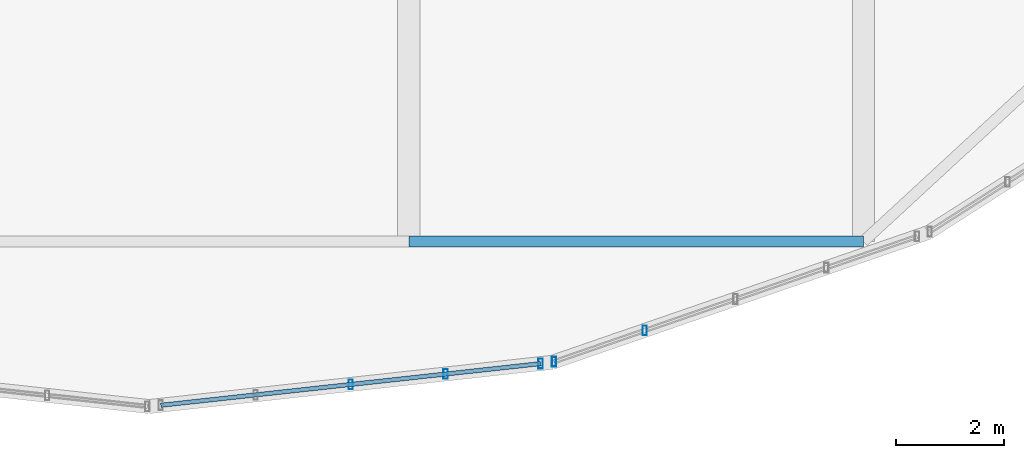
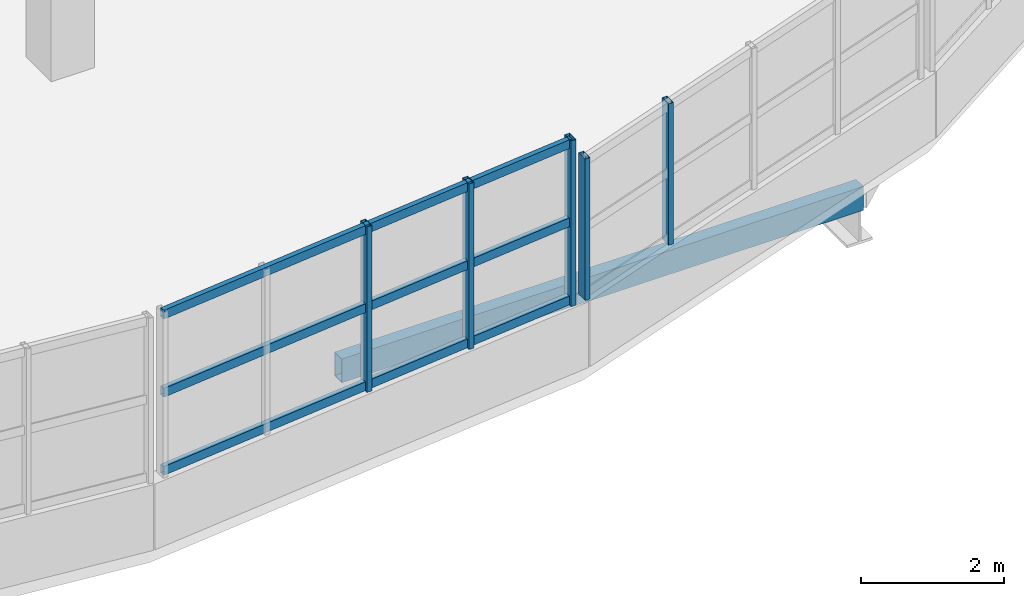
# One storey, part 17 of 52: 8 members, 1 beam, 2 elements without a shape of their own.
"""IFC4 building model written with IfcOpenShell, lengths in metres."""

import ifcopenshell
import ifcopenshell.guid

model = None  # the IFC model being written
_history = None  # IfcOwnerHistory: only IFC2X3 demands one
_inside = {}  # id of a spatial element -> (the spatial element, [elements in it])
_under = {}  # id of a project, library or spatial element -> (it, [spatial elements below it])
_declared = {}  # id of a project -> (the project, [libraries it declares])
_typed = {}  # id of a type object -> (the type object, [elements of that type])
_made_of = {}  # id of a material, layer set ... -> (it, [elements and type objects made of it])


def new_model(schema):
    """Start an empty IFC model of exactly this schema.

    Asked for "IFC4X3", IfcOpenShell would pick the latest addendum, in which some entities
    have other attributes; the version numbers below select the first issue.
    IFC2X3 requires an IfcOwnerHistory on every rooted entity: one is made here for all.
    """
    global model, _history
    if schema == "IFC4X3":
        model = ifcopenshell.file(schema_version=(4, 3, 0, 0))
    else:
        model = ifcopenshell.file(schema=schema)
    _inside.clear()
    _under.clear()
    _declared.clear()
    _typed.clear()
    _made_of.clear()
    _history = None
    if model.schema == "IFC2X3":
        org = make("IfcOrganization", Name="unknown")
        user = make(
            "IfcPersonAndOrganization",
            ThePerson=make("IfcPerson", FamilyName="unknown"),
            TheOrganization=org,
        )
        app = make(
            "IfcApplication",
            ApplicationDeveloper=org,
            Version="unknown",
            ApplicationFullName="unknown",
            ApplicationIdentifier="unknown",
        )
        _history = make(
            "IfcOwnerHistory",
            OwningUser=user,
            OwningApplication=app,
            ChangeAction="ADDED",
            CreationDate=0,
        )
    return model


def make(cls, **values):
    """One entity of the class cls with the attributes given. An attribute that is None is left unset."""
    return model.create_entity(
        cls, **{name: value for name, value in values.items() if value is not None}
    )


def rooted(cls, **values):
    """An entity with a GlobalId (a new one), such as an element, a storey or a relation."""
    return make(cls, GlobalId=ifcopenshell.guid.new(), OwnerHistory=_history, **values)


def si_unit(unit_type, name, prefix=None):
    """IfcSIUnit, for example si_unit("LENGTHUNIT", "METRE", prefix="MILLI")."""
    return make("IfcSIUnit", UnitType=unit_type, Prefix=prefix, Name=name)


def assignment(units):
    """IfcUnitAssignment: the units of a project."""
    return None if units is None else make("IfcUnitAssignment", Units=units)


def point(xyz):
    """IfcCartesianPoint."""
    return None if xyz is None else make("IfcCartesianPoint", Coordinates=xyz)


def direction(xyz):
    """IfcDirection."""
    return None if xyz is None else make("IfcDirection", DirectionRatios=xyz)


def frame(location, z_axis=None, x_axis=None):
    """IfcAxis2Placement3D, a coordinate frame: its origin and axes. An axis left out is left unset."""
    return make(
        "IfcAxis2Placement3D",
        Location=point(location),
        Axis=direction(z_axis),
        RefDirection=direction(x_axis),
    )


def frame_2d(location, x_axis=None):
    """IfcAxis2Placement2D, a coordinate frame in the plane: its origin and x axis."""
    return make(
        "IfcAxis2Placement2D", Location=point(location), RefDirection=direction(x_axis)
    )


def origin():
    """The frame at (0, 0, 0) with its axes left unset."""
    return frame((0.0, 0.0, 0.0))


def origin_2d():
    """The frame at (0, 0) in the plane with its x axis left unset."""
    return frame_2d((0.0, 0.0))


def place(relative_to, where):
    """IfcLocalPlacement: puts the frame where relative to a parent placement (None: the world)."""
    return make(
        "IfcLocalPlacement", PlacementRelTo=relative_to, RelativePlacement=where
    )


def context(
    kind, dimensions, precision=None, world=None, true_north=None, identifier=None
):
    """IfcGeometricRepresentationContext, for example the 3D "Model" context."""
    return make(
        "IfcGeometricRepresentationContext",
        ContextIdentifier=identifier,
        ContextType=kind,
        CoordinateSpaceDimension=dimensions,
        Precision=precision,
        WorldCoordinateSystem=world,
        TrueNorth=true_north,
    )


def subcontext(parent, identifier, kind, view, scale=None):
    """IfcGeometricRepresentationSubContext, for example "Body" below "Model"."""
    return make(
        "IfcGeometricRepresentationSubContext",
        ContextIdentifier=identifier,
        ContextType=kind,
        ParentContext=parent,
        TargetScale=scale,
        TargetView=view,
    )


def project(units=None, contexts=None):
    """IfcProject with its units and contexts."""
    return rooted(
        "IfcProject",
        Name="project",
        RepresentationContexts=contexts,
        UnitsInContext=assignment(units),
    )


def spatial(cls, under=None, at=None, **own):
    """A site, building, storey or space (cls), placed at a placement, below another one or the project."""
    s = rooted(cls, ObjectPlacement=at, **own)
    if under is not None:
        _under.setdefault(under.id(), (under, []))[1].append(s)
    return s


def profile(cls, at=None, kind="AREA", **sizes):
    """A parametric profile (cls). Its sizes go by their IFC names, for example OverallWidth=200.0."""
    return make(cls, ProfileType=kind, Position=at, **sizes)


def hollow_rectangle(**sizes):
    """IfcRectangleHollowProfileDef."""
    return profile("IfcRectangleHollowProfileDef", **sizes)


def extrude(swept, where, along, depth):
    """IfcExtrudedAreaSolid: the profile swept, set in the frame where, extruded along a direction by depth."""
    return make(
        "IfcExtrudedAreaSolid",
        SweptArea=swept,
        Position=where,
        ExtrudedDirection=direction(along),
        Depth=depth,
    )


def shape(context_of_items, identifier, shape_type, items):
    """IfcShapeRepresentation: the items that make up one representation, for example the "Body"."""
    return make(
        "IfcShapeRepresentation",
        ContextOfItems=context_of_items,
        RepresentationIdentifier=identifier,
        RepresentationType=shape_type,
        Items=items,
    )


def material(Name=None, Category=None):
    """IfcMaterial."""
    return make("IfcMaterial", Name=Name, Category=Category)


def material_profile(
    of_material, cross_section, Name=None, Category=None, Priority=None
):
    """IfcMaterialProfile: a cross section and its material."""
    return make(
        "IfcMaterialProfile",
        Name=Name,
        Material=of_material,
        Profile=cross_section,
        Priority=Priority,
        Category=Category,
    )


def profile_set(profiles, Name=None, composite=None):
    """IfcMaterialProfileSet."""
    return make(
        "IfcMaterialProfileSet",
        Name=Name,
        MaterialProfiles=profiles,
        CompositeProfile=composite,
    )


def made_of(thing, what):
    """Note that an element or type object is made of a material, layer set ...; save() writes the relation."""
    if what is not None:
        _made_of.setdefault(what.id(), (what, []))[1].append(thing)
    return thing


def type_object(cls, material=None, **own):
    """A type object (cls), such as IfcWallType, which elements share."""
    return made_of(rooted(cls, **own), material)


def element(
    cls,
    number,
    at=None,
    inside=None,
    cuts=None,
    type_object=None,
    material=None,
    context=None,
    identifier="Body",
    shape_type=None,
    held_by="IfcProductDefinitionShape",
    body=None,
    shapes=None,
    **own,
):
    """One element of the class cls, such as IfcWall. Its Tag is "e" and its number.

    at: its placement. inside: the storey or other place that contains it. cuts: it is an
    opening in that element (IfcRelVoidsElement). A single representation is given by context,
    identifier, shape_type and body (its items); several are given by shapes. held_by: the class
    of the entity that holds the representations. save() writes the other relations.
    """
    e = rooted(cls, Tag="e%d" % number, ObjectPlacement=at, **own)
    if body is not None:
        shapes = [shape(context, identifier, shape_type, body)]
    if shapes is not None:
        e.Representation = make(held_by, Representations=shapes)
    if inside is not None:
        _inside.setdefault(inside.id(), (inside, []))[1].append(e)
    if cuts is not None:
        rooted(
            "IfcRelVoidsElement", RelatingBuildingElement=cuts, RelatedOpeningElement=e
        )
    if type_object is not None:
        _typed.setdefault(type_object.id(), (type_object, []))[1].append(e)
    return made_of(e, material)


def aggregate(whole, parts):
    """IfcRelAggregates: a whole, such as a stair, and the parts it consists of."""
    return rooted("IfcRelAggregates", RelatingObject=whole, RelatedObjects=parts)


def save(model, path):
    """Write the relations noted so far, then the file.

    IfcRelAggregates (storeys below a building ...), IfcRelContainedInSpatialStructure (elements
    in a storey), IfcRelDefinesByType, IfcRelAssociatesMaterial and IfcRelDeclares: one each for
    every whole, place, type object, material and project.
    """
    for whole, parts in _under.values():
        aggregate(whole, parts)
    for where, things in _inside.values():
        rooted(
            "IfcRelContainedInSpatialStructure",
            RelatedElements=things,
            RelatingStructure=where,
        )
    for kind, things in _typed.values():
        rooted("IfcRelDefinesByType", RelatedObjects=things, RelatingType=kind)
    for what, things in _made_of.values():
        rooted("IfcRelAssociatesMaterial", RelatedObjects=things, RelatingMaterial=what)
    for by, libraries in _declared.values():
        rooted("IfcRelDeclares", RelatingContext=by, RelatedDefinitions=libraries)
    model.write(path)


model = new_model("IFC4")

# Units and contexts
model_context = context("Model", 3, precision=1e-05, world=origin(), true_north=direction((0.0, 1.0)))
body_context = subcontext(model_context, "Body", "Model", "MODEL_VIEW")
ifc_project = project(units=[si_unit("LENGTHUNIT", "METRE"), si_unit("AREAUNIT", "SQUARE_METRE"), si_unit("VOLUMEUNIT", "CUBIC_METRE"), si_unit("PLANEANGLEUNIT", "RADIAN"), si_unit("MASSUNIT", "GRAM", prefix="KILO")], contexts=[model_context])

# Site, building, storey
site_placement = place(None, origin())
site = spatial("IfcSite", under=ifc_project, at=site_placement, CompositionType="ELEMENT")
building_placement = place(site_placement, origin())
building = spatial("IfcBuilding", under=site, at=building_placement, Name="Solvento Point Concert Hall", CompositionType="ELEMENT")
storey_placement = place(building_placement, frame((0.0, 0.0, 19.5)))
storey = spatial("IfcBuildingStorey", under=building, at=storey_placement, Name="L04", CompositionType="ELEMENT", Elevation=19.5)

# Curtain wall, members
ifc_material_1 = material(Name="Anodized Bronze Aluminium", Category="aluminium")
curtain_wall_type = type_object("IfcCurtainWallType", Name="CurtainWall_RingRibbon_L03_04", PredefinedType="USERDEFINED", material=ifc_material_1)
curtain_wall_1_placement = place(storey_placement, origin())
curtain_wall_1 = element("IfcCurtainWall", 1, at=curtain_wall_1_placement, inside=storey, type_object=curtain_wall_type, Name="Unitised curtain wall CW-31 UCW-L04-229", ObjectType="UNITISED CURTAIN WALL", PredefinedType="USERDEFINED")
ifc_material_2 = material(Name="Anodized Bronze Aluminium", Category="aluminium")
ifc_material_profile_1 = material_profile(ifc_material_2, hollow_rectangle(XDim=0.080078125, YDim=0.179931640625, WallThickness=0.00390625, at=origin_2d()), Name="CW-MUL-80X180")
ifc_profile_set_1 = profile_set([ifc_material_profile_1], Name="Anodized Bronze Aluminium")
member_type_1 = type_object("IfcMemberType", Name="Mullion_80x180", PredefinedType="MULLION", material=ifc_profile_set_1)
member_1_placement = place(storey_placement, frame((70.35986328125, 7.606689453125, 1.1201171875), z_axis=(0.0, 0.0, 1.0), x_axis=(1.0, 0.0, 0.0)))
member_1 = element("IfcMember", 2, at=member_1_placement, type_object=member_type_1, Name="Curtain wall mullion ML-01", PredefinedType="MULLION", context=body_context, shape_type="SweptSolid", body=[
    extrude(hollow_rectangle(XDim=0.080078125, YDim=0.179931640625, WallThickness=0.00390625, at=origin_2d()), origin(), (0.0, 0.0, 1.0), 2.407470703125),
])
member_2_placement = place(storey_placement, frame((68.682373046875, 7.027587890625, 1.1201171875), z_axis=(0.0, 0.0, 1.0), x_axis=(1.0, 0.0, 0.0)))
member_2 = element("IfcMember", 3, at=member_2_placement, type_object=member_type_1, Name="Curtain wall mullion ML-01", PredefinedType="MULLION", context=body_context, shape_type="SweptSolid", body=[
    extrude(hollow_rectangle(XDim=0.080078125, YDim=0.179931640625, WallThickness=0.00390625, at=origin_2d()), origin(), (0.0, 0.0, 1.0), 2.407470703125),
])
aggregate(curtain_wall_1, [member_1, member_2])

curtain_wall_2_placement = place(storey_placement, origin())
curtain_wall_2 = element("IfcCurtainWall", 4, at=curtain_wall_2_placement, inside=storey, type_object=curtain_wall_type, Name="Unitised curtain wall CW-31 UCW-L04-230", ObjectType="UNITISED CURTAIN WALL", PredefinedType="USERDEFINED")
member_3_placement = place(storey_placement, frame((68.435302734375, 6.993896484375, 1.1201171875), z_axis=(0.0, 0.0, 1.0), x_axis=(1.0, 0.0, 0.0)))
member_3 = element("IfcMember", 5, at=member_3_placement, type_object=member_type_1, Name="Curtain wall mullion ML-01", PredefinedType="MULLION", context=body_context, shape_type="SweptSolid", body=[
    extrude(hollow_rectangle(XDim=0.080078125, YDim=0.179931640625, WallThickness=0.00390625, at=origin_2d()), origin(), (0.0, 0.0, 1.0), 2.81982421875),
])
member_4_placement = place(storey_placement, frame((66.68115234375, 6.801513671875, 1.1201171875), z_axis=(0.0, 0.0, 1.0), x_axis=(1.0, 0.0, 0.0)))
member_4 = element("IfcMember", 6, at=member_4_placement, type_object=member_type_1, Name="Curtain wall mullion ML-01", PredefinedType="MULLION", context=body_context, shape_type="SweptSolid", body=[
    extrude(hollow_rectangle(XDim=0.080078125, YDim=0.179931640625, WallThickness=0.00390625, at=origin_2d()), origin(), (0.0, 0.0, 1.0), 2.81982421875),
])
member_5_placement = place(storey_placement, frame((64.927001953125, 6.60888671875, 1.1201171875), z_axis=(0.0, 0.0, 1.0), x_axis=(1.0, 0.0, 0.0)))
member_5 = element("IfcMember", 7, at=member_5_placement, type_object=member_type_1, Name="Curtain wall mullion ML-01", PredefinedType="MULLION", context=body_context, shape_type="SweptSolid", body=[
    extrude(hollow_rectangle(XDim=0.080078125, YDim=0.179931640625, WallThickness=0.00390625, at=origin_2d()), origin(), (0.0, 0.0, 1.0), 2.81982421875),
])

# Beam
ifc_material_3 = material(Name="Structural Steel ASTM A500 Grade C", Category="steel")
ifc_material_profile_2 = material_profile(ifc_material_3, hollow_rectangle(XDim=0.203125, YDim=0.406494140625, WallThickness=0.01171875, at=origin_2d()), Name="HSS16X8X1/2")
ifc_profile_set_2 = profile_set([ifc_material_profile_2], Name="Structural Steel ASTM A500 Grade C")
beam_type = type_object("IfcBeamType", Name="RingBeam_HSS16X8", PredefinedType="SPANDREL", material=ifc_profile_set_2)
beam_placement = place(storey_placement, frame((66.0, 9.25, -0.497314453125), z_axis=(1.0, 0.0, 0.0), x_axis=(0.0, 1.0, 0.0)))
element("IfcBeam", 8, at=beam_placement, inside=storey, type_object=beam_type, Name="Elliptical perimeter ring beam RB-01 L04", PredefinedType="SPANDREL", context=body_context, shape_type="SweptSolid", body=[
    extrude(hollow_rectangle(XDim=0.203125, YDim=0.406494140625, WallThickness=0.01171875, at=origin_2d()), origin(), (0.0, 0.0, 1.0), 8.39990234375),
])

# Member
ifc_material_4 = material(Name="Anodized Bronze Aluminium", Category="aluminium")
ifc_material_profile_3 = material_profile(ifc_material_4, hollow_rectangle(XDim=0.080078125, YDim=0.14990234375, WallThickness=0.00390625, at=origin_2d()), Name="CW-TRN-80X150")
ifc_profile_set_3 = profile_set([ifc_material_profile_3], Name="Anodized Bronze Aluminium")
member_type_2 = type_object("IfcMemberType", Name="Transom_80x150", PredefinedType="USERDEFINED", material=ifc_profile_set_3)
member_6_placement = place(storey_placement, frame((68.435302734375, 6.993896484375, 1.199951171875), z_axis=(-0.994035890975, -0.109053415597, 0.0), x_axis=(0.109053415597, -0.994035890975, 0.0)))
member_6 = element("IfcMember", 9, at=member_6_placement, type_object=member_type_2, Name="Curtain wall transom TR-01", ObjectType="TRANSOM", PredefinedType="USERDEFINED", context=body_context, shape_type="SweptSolid", body=[
    extrude(hollow_rectangle(XDim=0.080078125, YDim=0.14990234375, WallThickness=0.00390625, at=origin_2d()), origin(), (0.0, 0.0, 1.0), 7.05859375),
])

member_7_placement = place(storey_placement, frame((68.435302734375, 6.993896484375, 2.530029296875), z_axis=(-0.994035890975, -0.109053415597, 0.0), x_axis=(0.109053415597, -0.994035890975, 0.0)))
member_7 = element("IfcMember", 10, at=member_7_placement, type_object=member_type_2, Name="Curtain wall transom TR-01", ObjectType="TRANSOM", PredefinedType="USERDEFINED", context=body_context, shape_type="SweptSolid", body=[
    extrude(hollow_rectangle(XDim=0.080078125, YDim=0.14990234375, WallThickness=0.00390625, at=origin_2d()), origin(), (0.0, 0.0, 1.0), 7.05859375),
])

member_8_placement = place(storey_placement, frame((68.435302734375, 6.993896484375, 3.860107421875), z_axis=(-0.994035890975, -0.109053415597, 0.0), x_axis=(0.109053415597, -0.994035890975, 0.0)))
member_8 = element("IfcMember", 11, at=member_8_placement, type_object=member_type_2, Name="Curtain wall transom TR-01", ObjectType="TRANSOM", PredefinedType="USERDEFINED", context=body_context, shape_type="SweptSolid", body=[
    extrude(hollow_rectangle(XDim=0.080078125, YDim=0.14990234375, WallThickness=0.00390625, at=origin_2d()), origin(), (0.0, 0.0, 1.0), 7.05859375),
])

aggregate(curtain_wall_2, [member_3, member_4, member_5, member_6, member_7, member_8])

save(model, "model.ifc")
